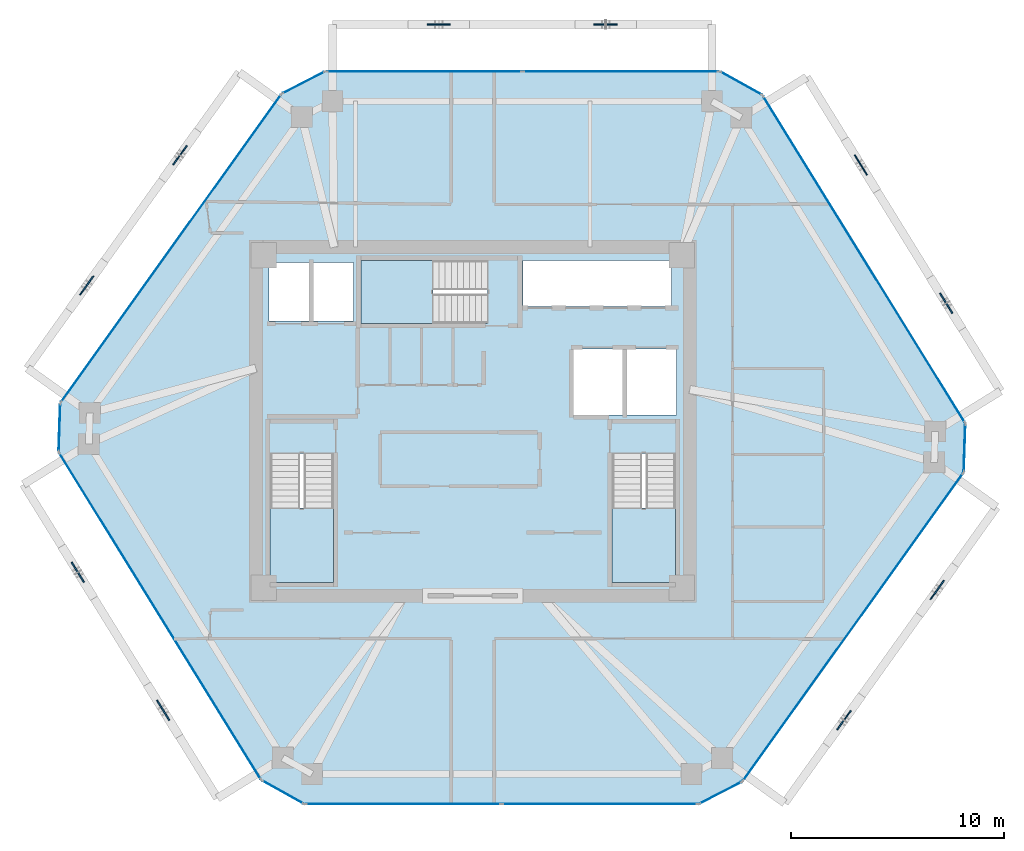
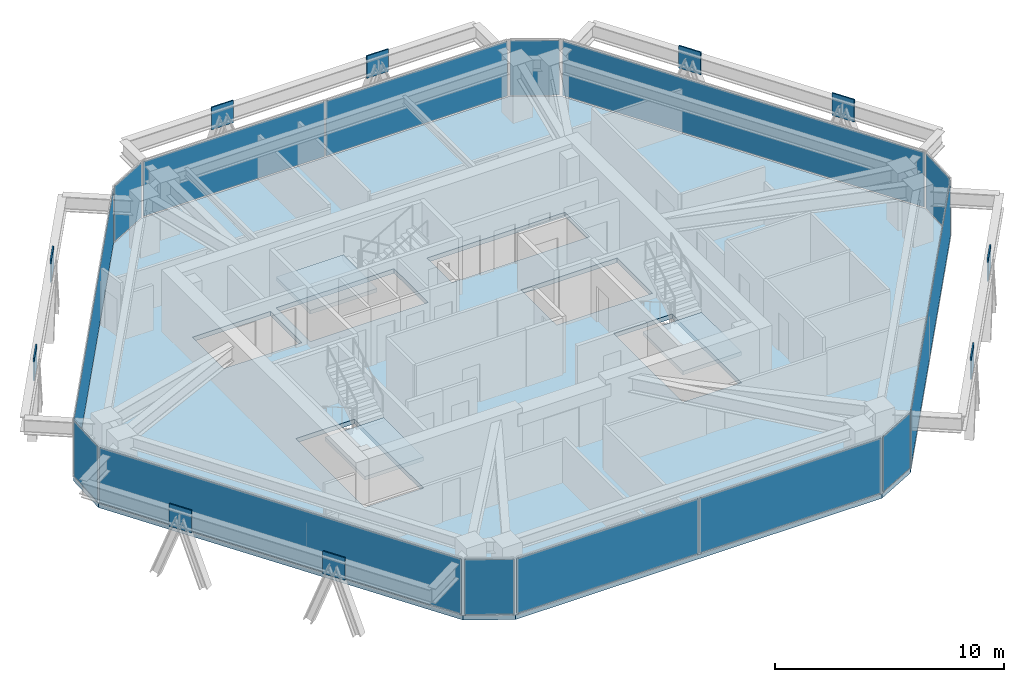
# One storey, part 7 of 13: 24 plates, 4 slabs, 15 elements without a shape of their own.
"""IFC4 building model written with IfcOpenShell, lengths in metres."""

from ifc_helpers import new_model, si_unit, direction, frame, origin, origin_2d, place, context, subcontext, project, spatial, polyline, rectangle, outline, extrude, source, transform, mapped, material, layer, layer_set, type_object, type_shapes, element, aggregate, save


model = new_model("IFC4")

# Units and contexts
model_context = context("Model", 3, precision=1e-05, world=origin(), true_north=direction((0.0, 1.0)))
body_context = subcontext(model_context, "Body", "Model", "MODEL_VIEW")
ifc_project = project(units=[si_unit("LENGTHUNIT", "METRE"), si_unit("AREAUNIT", "SQUARE_METRE"), si_unit("VOLUMEUNIT", "CUBIC_METRE"), si_unit("PLANEANGLEUNIT", "RADIAN"), si_unit("MASSUNIT", "GRAM", prefix="KILO")], contexts=[model_context])

# Site, building, storey
site_placement = place(None, origin())
site = spatial("IfcSite", under=ifc_project, at=site_placement, CompositionType="ELEMENT")
building_placement = place(site_placement, origin())
building = spatial("IfcBuilding", under=site, at=building_placement, Name="Durnholm Broadcast Tower", CompositionType="ELEMENT")
storey_placement = place(building_placement, frame((0.0, 0.0, 167.199951171875)))
storey = spatial("IfcBuildingStorey", under=building, at=storey_placement, Name="L45", CompositionType="ELEMENT", Elevation=167.199951171875)

# Slab
ifc_material_1 = material(Name="Concrete C50/60", Category="concrete")
ifc_layer_1 = layer(ifc_material_1, 0.239990234375)
ifc_layer_set_1 = layer_set([ifc_layer_1], Name="Concrete C50/60")
slab_type_1 = type_object("IfcSlabType", Name="SLAB-FLR-240", PredefinedType="FLOOR", material=ifc_layer_set_1)
slab_1_placement = place(storey_placement, frame((0.0, 0.0, -0.239990234375)))
element("IfcSlab", 1, at=slab_1_placement, inside=storey, type_object=slab_type_1, Name="L45 structural floor slab", PredefinedType="FLOOR", context=body_context, shape_type="SweptSolid", body=[
    extrude(outline(polyline([(-9.912353515625, -16.822021484375), (-7.9033203125, -17.94189453125), (10.59521484375, -17.94189453125), (12.64111328125, -16.890625), (23.022705078125, -2.390380859375), (23.1005859375, -0.091552734375), (13.59033203125, 15.2978515625), (11.581298828125, 16.41796875), (-6.917236328125, 16.41796875), (-8.962890625, 15.36669921875), (-19.3447265625, 0.8662109375), (-19.422607421875, -1.432373046875), (-9.912353515625, -16.822021484375)]), holes=[polyline([(-6.5400390625, -1.5), (-9.5, -1.5), (-9.5, -7.550048828125), (-6.5400390625, -7.550048828125), (-6.5400390625, -1.5)]), polyline([(9.5, -7.550048828125), (9.5, -1.5), (6.5400390625, -1.5), (6.5400390625, -7.550048828125), (9.5, -7.550048828125)]), polyline([(9.550048828125, 3.39990234375), (4.699951171875, 3.39990234375), (4.699951171875, 0.300048828125), (9.550048828125, 0.300048828125), (9.550048828125, 3.39990234375)]), polyline([(-9.550048828125, 7.449951171875), (-9.550048828125, 4.699951171875), (-5.60009765625, 4.699951171875), (-5.60009765625, 7.449951171875), (-9.550048828125, 7.449951171875)]), polyline([(-5.25, 4.60009765625), (0.699951171875, 4.60009765625), (0.699951171875, 7.56005859375), (-5.25, 7.56005859375), (-5.25, 4.60009765625)]), polyline([(9.31005859375, 7.550048828125), (2.35009765625, 7.550048828125), (2.35009765625, 5.39990234375), (9.31005859375, 5.39990234375), (9.31005859375, 7.550048828125)])]), origin(), (0.0, 0.0, 1.0), 0.239990234375),
])

# Stair, slab
stair_type = type_object("IfcStairType", Name="STAIR-DL-20R1650", PredefinedType="HALF_TURN_STAIR", material=ifc_material_1)
stair_1_placement = place(storey_placement, origin())
stair_1 = element("IfcStair", 2, at=stair_1_placement, inside=storey, type_object=stair_type, Name="L45 ST-1", PredefinedType="HALF_TURN_STAIR")
ifc_layer_2 = layer(ifc_material_1, 0.199951171875)
ifc_layer_set_2 = layer_set([ifc_layer_2], Name="Concrete C50/60")
slab_type_2 = type_object("IfcSlabType", Name="SLAB-LND-200", PredefinedType="LANDING", material=ifc_layer_set_2)
slab_2_placement = place(storey_placement, frame((0.0, 0.0, 1.449951171875)))
slab_2 = element("IfcSlab", 3, at=slab_2_placement, type_object=slab_type_2, Name="ST-1 landing 1", PredefinedType="LANDING", context=body_context, shape_type="SweptSolid", body=[
    extrude(outline(polyline([(-9.5, -4.06494140625), (-9.5, -7.550048828125), (-6.5400390625, -7.550048828125), (-6.5400390625, -4.06494140625), (-9.5, -4.06494140625)])), origin(), (0.0, 0.0, 1.0), 0.2001953125),
])
aggregate(stair_1, [slab_2])

stair_2_placement = place(storey_placement, origin())
stair_2 = element("IfcStair", 4, at=stair_2_placement, inside=storey, type_object=stair_type, Name="L45 ST-2", PredefinedType="HALF_TURN_STAIR")
slab_3_placement = place(storey_placement, frame((0.0, 0.0, 1.449951171875)))
slab_3 = element("IfcSlab", 5, at=slab_3_placement, type_object=slab_type_2, Name="ST-2 landing 1", PredefinedType="LANDING", context=body_context, shape_type="SweptSolid", body=[
    extrude(outline(polyline([(6.5400390625, -4.06494140625), (6.5400390625, -7.550048828125), (9.5, -7.550048828125), (9.5, -4.06494140625), (6.5400390625, -4.06494140625)])), origin(), (0.0, 0.0, 1.0), 0.2001953125),
])
aggregate(stair_2, [slab_3])

stair_3_placement = place(storey_placement, origin())
stair_3 = element("IfcStair", 6, at=stair_3_placement, inside=storey, type_object=stair_type, Name="L45 ST-3", PredefinedType="HALF_TURN_STAIR")
slab_4_placement = place(storey_placement, frame((0.0, 0.0, 1.449951171875)))
slab_4 = element("IfcSlab", 7, at=slab_4_placement, type_object=slab_type_2, Name="ST-3 landing 1", PredefinedType="LANDING", context=body_context, shape_type="SweptSolid", body=[
    extrude(outline(polyline([(-1.864990234375, 7.56005859375), (-5.25, 7.56005859375), (-5.25, 4.60009765625), (-1.864990234375, 4.60009765625), (-1.864990234375, 7.56005859375)])), origin(), (0.0, 0.0, 1.0), 0.2001953125),
])
aggregate(stair_3, [slab_4])

# Plates
ifc_material_2 = material(Name="Steel ASTM A572 Grade 50", Category="steel")
ifc_layer_3 = layer(ifc_material_2, 0.06494140625)
ifc_layer_set_3 = layer_set([ifc_layer_3], Name="Steel ASTM A572 Grade 50")
plate_type_1 = type_object("IfcPlateType", Name="PLT-KN07-GUS", PredefinedType="USERDEFINED", material=ifc_layer_set_3)
shared_shape_1 = source(origin(), body_context, "Body", "SweptSolid", [
    extrude(rectangle(XDim=1.10009765625, YDim=0.06494140625, at=origin_2d()), origin(), (0.0, 0.0, 1.0), 1.199951171875),
])
type_shapes(plate_type_1, [shared_shape_1])
for number, where, z_axis, x_axis, name in (
    (8, (17.40966796875, -14.009521484375, 1.70849609375), (0.0, 0.0, 1.0), (0.582122970157, 0.813100761047, 0.0), "L45 welded diagrid node gusset plate KN07 F2"),
    (9, (21.782470703125, -7.90185546875, 1.70849609375), (0.0, 0.0, 1.0), (0.582122970157, 0.813100761047, 0.0), "L45 welded diagrid node gusset plate KN07 F2"),
    (10, (22.202392578125, 5.546875, 1.70849609375), (0.0, 0.0, 1.0), (-0.525768608156, 0.850627633385, 0.0), "L45 welded diagrid node gusset plate KN07 F3"),
    (11, (18.2001953125, 12.023193359375, 1.70849609375), (0.0, 0.0, 1.0), (-0.525768608156, 0.850627633385, 0.0), "L45 welded diagrid node gusset plate KN07 F3"),
    (12, (6.234619140625, 18.617919921875, 1.70849609375), (0.0, 0.0, 1.0), (-1.0, 0.0, 0.0), "L45 welded diagrid node gusset plate KN07 F4"),
    (13, (-1.595703125, 18.617919921875, 1.70849609375), (0.0, 0.0, 1.0), (-1.0, 0.0, 0.0), "L45 welded diagrid node gusset plate KN07 F4"),
    (14, (-13.731689453125, 12.485595703125, 1.70849609375), (0.0, 0.0, 1.0), (-0.582122970157, -0.813100761047, 0.0), "L45 welded diagrid node gusset plate KN07 F5"),
    (15, (-18.1044921875, 6.3779296875, 1.70849609375), (0.0, 0.0, 1.0), (-0.582122970157, -0.813100761047, 0.0), "L45 welded diagrid node gusset plate KN07 F5"),
    (16, (-18.5244140625, -7.07080078125, 1.70849609375), (0.0, 0.0, 1.0), (0.525768608156, -0.850627633385, 0.0), "L45 welded diagrid node gusset plate KN07 F6"),
    (17, (-14.522216796875, -13.54736328125, 1.70849609375), (0.0, 0.0, 1.0), (0.525768608156, -0.850627633385, 0.0), "L45 welded diagrid node gusset plate KN07 F6"),
):
    element("IfcPlate", number, at=place(storey_placement, frame(where, z_axis=z_axis, x_axis=x_axis)), inside=storey, type_object=plate_type_1, Name=name, ObjectType="GUSSET_PLATE", PredefinedType="USERDEFINED", context=body_context, shape_type="MappedRepresentation", body=[
        mapped(shared_shape_1, transform((0.0, 0.0, 0.0), x_axis=(1.0, 0.0, 0.0), y_axis=(0.0, 1.0, 0.0), z_axis=(0.0, 0.0, 1.0), scale=1.0)),
    ])

# Curtain wall, plate
ifc_material_3 = material(Name="Aluminium and Solar Control IGU", Category="aluminium")
ifc_layer_4 = layer(ifc_material_3, 0.1650390625)
ifc_layer_set_4 = layer_set([ifc_layer_4], Name="Aluminium and Solar Control IGU")
curtain_wall_type_1 = type_object("IfcCurtainWallType", Name="CW-SYS-5", PredefinedType="NOTDEFINED", material=ifc_layer_set_4)
curtain_wall_1_placement = place(storey_placement, origin())
curtain_wall_1 = element("IfcCurtainWall", 18, at=curtain_wall_1_placement, inside=storey, type_object=curtain_wall_type_1, Name="L45 curtain wall CW-CORNER CW-L45-CRN-01", PredefinedType="NOTDEFINED")
ifc_material_4 = material(Name="Low-E Laminated Insulating Glass", Category="glass")
ifc_layer_5 = layer(ifc_material_4, 0.030029296875)
ifc_layer_set_5 = layer_set([ifc_layer_5], Name="Low-E Laminated Insulating Glass")
plate_type_2 = type_object("IfcPlateType", Name="CW-SYS-5-PNL", PredefinedType="CURTAIN_PANEL", material=ifc_layer_set_5)
shared_shape_2 = source(origin(), body_context, "Body", "SweptSolid", [
    extrude(rectangle(XDim=2.169921875, YDim=0.030029296875, at=origin_2d()), origin(), (0.0, 0.0, 1.0), 2.929931640625),
])
plate_1_placement = place(storey_placement, frame((-19.3837890625, -0.282958984375, 0.06494140625), z_axis=(0.0, 0.0, 1.0), x_axis=(0.033912704699, 0.999424798802, 0.0)))
plate_1 = element("IfcPlate", 19, at=plate_1_placement, type_object=plate_type_2, Name="CW-CORNER panel 1.1", PredefinedType="CURTAIN_PANEL", context=body_context, shape_type="MappedRepresentation", body=[
    mapped(shared_shape_2, transform((0.0, 0.0, 0.0), x_axis=(1.0, 0.0, 0.0), y_axis=(0.0, 1.0, 0.0), z_axis=(0.0, 0.0, 1.0), scale=1.0)),
])
aggregate(curtain_wall_1, [plate_1])

curtain_wall_2_placement = place(storey_placement, origin())
curtain_wall_2 = element("IfcCurtainWall", 20, at=curtain_wall_2_placement, inside=storey, type_object=curtain_wall_type_1, Name="L45 curtain wall CW-CORNER CW-L45-CRN-03", PredefinedType="NOTDEFINED")
plate_2_placement = place(storey_placement, frame((-7.940185546875, 15.892333984375, 0.06494140625), z_axis=(0.0, 0.0, 1.0), x_axis=(0.889424679545, 0.457081764476, 0.0)))
plate_2 = element("IfcPlate", 21, at=plate_2_placement, type_object=plate_type_2, Name="CW-CORNER panel 1.1", PredefinedType="CURTAIN_PANEL", context=body_context, shape_type="MappedRepresentation", body=[
    mapped(shared_shape_2, transform((0.0, 0.0, 0.0), x_axis=(1.0, 0.0, 0.0), y_axis=(0.0, 1.0, 0.0), z_axis=(0.0, 0.0, 1.0), scale=1.0)),
])
aggregate(curtain_wall_2, [plate_2])

curtain_wall_3_placement = place(storey_placement, origin())
curtain_wall_3 = element("IfcCurtainWall", 22, at=curtain_wall_3_placement, inside=storey, type_object=curtain_wall_type_1, Name="L45 curtain wall CW-CORNER CW-L45-CRN-07", PredefinedType="NOTDEFINED")
plate_3_placement = place(storey_placement, frame((23.061767578125, -1.240966796875, 0.06494140625), z_axis=(0.0, 0.0, 1.0), x_axis=(-0.033912704699, -0.999424798802, 0.0)))
plate_3 = element("IfcPlate", 23, at=plate_3_placement, type_object=plate_type_2, Name="CW-CORNER panel 1.1", PredefinedType="CURTAIN_PANEL", context=body_context, shape_type="MappedRepresentation", body=[
    mapped(shared_shape_2, transform((0.0, 0.0, 0.0), x_axis=(1.0, 0.0, 0.0), y_axis=(0.0, 1.0, 0.0), z_axis=(0.0, 0.0, 1.0), scale=1.0)),
])
aggregate(curtain_wall_3, [plate_3])

curtain_wall_4_placement = place(storey_placement, origin())
curtain_wall_4 = element("IfcCurtainWall", 24, at=curtain_wall_4_placement, inside=storey, type_object=curtain_wall_type_1, Name="L45 curtain wall CW-CORNER CW-L45-CRN-09", PredefinedType="NOTDEFINED")
plate_4_placement = place(storey_placement, frame((11.6181640625, -17.416259765625, 0.06494140625), z_axis=(0.0, 0.0, 1.0), x_axis=(-0.889424679545, -0.457081764476, 0.0)))
plate_4 = element("IfcPlate", 25, at=plate_4_placement, type_object=plate_type_2, Name="CW-CORNER panel 1.1", PredefinedType="CURTAIN_PANEL", context=body_context, shape_type="MappedRepresentation", body=[
    mapped(shared_shape_2, transform((0.0, 0.0, 0.0), x_axis=(1.0, 0.0, 0.0), y_axis=(0.0, 1.0, 0.0), z_axis=(0.0, 0.0, 1.0), scale=1.0)),
])
aggregate(curtain_wall_4, [plate_4])

ifc_layer_6 = layer(ifc_material_3, 0.18994140625)
ifc_layer_set_6 = layer_set([ifc_layer_6], Name="Aluminium and Solar Control IGU")
curtain_wall_type_2 = type_object("IfcCurtainWallType", Name="CW-SYS-4", PredefinedType="NOTDEFINED", material=ifc_layer_set_6)
curtain_wall_5_placement = place(storey_placement, origin())
curtain_wall_5 = element("IfcCurtainWall", 26, at=curtain_wall_5_placement, inside=storey, type_object=curtain_wall_type_2, Name="L45 curtain wall CW-Z34-VIS CW-L45-F02", PredefinedType="NOTDEFINED")
ifc_layer_7 = layer(ifc_material_4, 0.033935546875)
ifc_layer_set_7 = layer_set([ifc_layer_7], Name="Low-E Laminated Insulating Glass")
plate_type_3 = type_object("IfcPlateType", Name="CW-SYS-4-PNL", PredefinedType="CURTAIN_PANEL", material=ifc_layer_set_7)
shared_shape_3 = source(origin(), body_context, "Body", "SweptSolid", [
    extrude(rectangle(XDim=17.693603515625, YDim=0.033935546875, at=origin_2d()), origin(), (0.0, 0.0, 1.0), 2.919921875),
])
plate_5_placement = place(storey_placement, frame((-14.15380859375, 8.116455078125, 0.070068359375), z_axis=(0.0, 0.0, 1.0), x_axis=(0.582139030549, 0.813089262696, 0.0)))
plate_5 = element("IfcPlate", 27, at=plate_5_placement, type_object=plate_type_3, Name="CW-Z34-VIS panel 1.1", PredefinedType="CURTAIN_PANEL", context=body_context, shape_type="MappedRepresentation", body=[
    mapped(shared_shape_3, transform((0.0, 0.0, 0.0), x_axis=(1.0, 0.0, 0.0), y_axis=(0.0, 1.0, 0.0), z_axis=(0.0, 0.0, 1.0), scale=1.0)),
])
aggregate(curtain_wall_5, [plate_5])

curtain_wall_6_placement = place(storey_placement, origin())
curtain_wall_6 = element("IfcCurtainWall", 28, at=curtain_wall_6_placement, inside=storey, type_object=curtain_wall_type_2, Name="L45 curtain wall CW-Z34-VIS CW-L45-F08", PredefinedType="NOTDEFINED")
plate_6_placement = place(storey_placement, frame((17.831787109375, -9.640380859375, 0.070068359375), z_axis=(0.0, 0.0, 1.0), x_axis=(-0.582139030549, -0.813089262696, 0.0)))
plate_6 = element("IfcPlate", 29, at=plate_6_placement, type_object=plate_type_3, Name="CW-Z34-VIS panel 1.1", PredefinedType="CURTAIN_PANEL", context=body_context, shape_type="MappedRepresentation", body=[
    mapped(shared_shape_3, transform((0.0, 0.0, 0.0), x_axis=(1.0, 0.0, 0.0), y_axis=(0.0, 1.0, 0.0), z_axis=(0.0, 0.0, 1.0), scale=1.0)),
])
aggregate(curtain_wall_6, [plate_6])

# Curtain wall, plates
curtain_wall_7_placement = place(storey_placement, origin())
curtain_wall_7 = element("IfcCurtainWall", 30, at=curtain_wall_7_placement, inside=storey, type_object=curtain_wall_type_2, Name="L45 curtain wall CW-Z34-VIS CW-L45-F04", PredefinedType="NOTDEFINED")
shared_shape_4 = source(origin(), body_context, "Body", "SweptSolid", [
    extrude(rectangle(XDim=9.144287109375, YDim=0.033935546875, at=origin_2d()), origin(), (0.0, 0.0, 1.0), 2.919921875),
])
plate_7_placement = place(storey_placement, frame((-2.275146484375, 16.41796875, 0.070068359375), z_axis=(0.0, 0.0, 1.0), x_axis=(1.0, 0.0, 0.0)))
plate_7 = element("IfcPlate", 31, at=plate_7_placement, type_object=plate_type_3, Name="CW-Z34-VIS panel 1.1", PredefinedType="CURTAIN_PANEL", context=body_context, shape_type="MappedRepresentation", body=[
    mapped(shared_shape_4, transform((0.0, 0.0, 0.0), x_axis=(1.0, 0.0, 0.0), y_axis=(0.0, 1.0, 0.0), z_axis=(0.0, 0.0, 1.0), scale=1.0)),
])
plate_8_placement = place(storey_placement, frame((6.939208984375, 16.41796875, 0.070068359375), z_axis=(0.0, 0.0, 1.0), x_axis=(1.0, 0.0, 0.0)))
plate_8 = element("IfcPlate", 32, at=plate_8_placement, type_object=plate_type_3, Name="CW-Z34-VIS panel 2.1", PredefinedType="CURTAIN_PANEL", context=body_context, shape_type="MappedRepresentation", body=[
    mapped(shared_shape_4, transform((0.0, 0.0, 0.0), x_axis=(1.0, 0.0, 0.0), y_axis=(0.0, 1.0, 0.0), z_axis=(0.0, 0.0, 1.0), scale=1.0)),
])
aggregate(curtain_wall_7, [plate_7, plate_8])

curtain_wall_8_placement = place(storey_placement, origin())
curtain_wall_8 = element("IfcCurtainWall", 33, at=curtain_wall_8_placement, inside=storey, type_object=curtain_wall_type_2, Name="L45 curtain wall CW-Z34-VIS CW-L45-F10", PredefinedType="NOTDEFINED")
plate_9_placement = place(storey_placement, frame((5.953125, -17.94189453125, 0.070068359375), z_axis=(0.0, 0.0, 1.0), x_axis=(-1.0, 0.0, 0.0)))
plate_9 = element("IfcPlate", 34, at=plate_9_placement, type_object=plate_type_3, Name="CW-Z34-VIS panel 1.1", PredefinedType="CURTAIN_PANEL", context=body_context, shape_type="MappedRepresentation", body=[
    mapped(shared_shape_4, transform((0.0, 0.0, 0.0), x_axis=(1.0, 0.0, 0.0), y_axis=(0.0, 1.0, 0.0), z_axis=(0.0, 0.0, 1.0), scale=1.0)),
])
plate_10_placement = place(storey_placement, frame((-3.26123046875, -17.94189453125, 0.070068359375), z_axis=(0.0, 0.0, 1.0), x_axis=(-1.0, 0.0, 0.0)))
plate_10 = element("IfcPlate", 35, at=plate_10_placement, type_object=plate_type_3, Name="CW-Z34-VIS panel 2.1", PredefinedType="CURTAIN_PANEL", context=body_context, shape_type="MappedRepresentation", body=[
    mapped(shared_shape_4, transform((0.0, 0.0, 0.0), x_axis=(1.0, 0.0, 0.0), y_axis=(0.0, 1.0, 0.0), z_axis=(0.0, 0.0, 1.0), scale=1.0)),
])
aggregate(curtain_wall_8, [plate_9, plate_10])

# Curtain wall, plate
curtain_wall_9_placement = place(storey_placement, origin())
curtain_wall_9 = element("IfcCurtainWall", 36, at=curtain_wall_9_placement, inside=storey, type_object=curtain_wall_type_1, Name="L45 curtain wall CW-CORNER CW-L45-CRN-05", PredefinedType="NOTDEFINED")
shared_shape_5 = source(origin(), body_context, "Body", "SweptSolid", [
    extrude(rectangle(XDim=2.170166015625, YDim=0.030029296875, at=origin_2d()), origin(), (0.0, 0.0, 1.0), 2.929931640625),
])
type_shapes(plate_type_2, [shared_shape_2, shared_shape_5])
plate_11_placement = place(storey_placement, frame((12.5859375, 15.85791015625, 0.06494140625), z_axis=(0.0, 0.0, 1.0), x_axis=(0.873409751271, -0.486986043316, 0.0)))
plate_11 = element("IfcPlate", 37, at=plate_11_placement, type_object=plate_type_2, Name="CW-CORNER panel 1.1", PredefinedType="CURTAIN_PANEL", context=body_context, shape_type="MappedRepresentation", body=[
    mapped(shared_shape_5, transform((0.0, 0.0, 0.0), x_axis=(1.0, 0.0, 0.0), y_axis=(0.0, 1.0, 0.0), z_axis=(0.0, 0.0, 1.0), scale=1.0)),
])
aggregate(curtain_wall_9, [plate_11])

curtain_wall_10_placement = place(storey_placement, origin())
curtain_wall_10 = element("IfcCurtainWall", 38, at=curtain_wall_10_placement, inside=storey, type_object=curtain_wall_type_1, Name="L45 curtain wall CW-CORNER CW-L45-CRN-11", PredefinedType="NOTDEFINED")
plate_12_placement = place(storey_placement, frame((-8.907958984375, -17.3818359375, 0.06494140625), z_axis=(0.0, 0.0, 1.0), x_axis=(-0.873409751271, 0.486986043316, 0.0)))
plate_12 = element("IfcPlate", 39, at=plate_12_placement, type_object=plate_type_2, Name="CW-CORNER panel 1.1", PredefinedType="CURTAIN_PANEL", context=body_context, shape_type="MappedRepresentation", body=[
    mapped(shared_shape_5, transform((0.0, 0.0, 0.0), x_axis=(1.0, 0.0, 0.0), y_axis=(0.0, 1.0, 0.0), z_axis=(0.0, 0.0, 1.0), scale=1.0)),
])
aggregate(curtain_wall_10, [plate_12])

curtain_wall_11_placement = place(storey_placement, origin())
curtain_wall_11 = element("IfcCurtainWall", 40, at=curtain_wall_11_placement, inside=storey, type_object=curtain_wall_type_2, Name="L45 curtain wall CW-Z34-VIS CW-L45-F06", PredefinedType="NOTDEFINED")
shared_shape_6 = source(origin(), body_context, "Body", "SweptSolid", [
    extrude(rectangle(XDim=17.950927734375, YDim=0.033935546875, at=origin_2d()), origin(), (0.0, 0.0, 1.0), 2.919921875),
])
type_shapes(plate_type_3, [shared_shape_3, shared_shape_4, shared_shape_6])
plate_13_placement = place(storey_placement, frame((18.345458984375, 7.603271484375, 0.070068359375), z_axis=(0.0, 0.0, 1.0), x_axis=(0.525697750452, -0.850671426092, 0.0)))
plate_13 = element("IfcPlate", 41, at=plate_13_placement, type_object=plate_type_3, Name="CW-Z34-VIS panel 1.1", PredefinedType="CURTAIN_PANEL", context=body_context, shape_type="MappedRepresentation", body=[
    mapped(shared_shape_6, transform((0.0, 0.0, 0.0), x_axis=(1.0, 0.0, 0.0), y_axis=(0.0, 1.0, 0.0), z_axis=(0.0, 0.0, 1.0), scale=1.0)),
])
aggregate(curtain_wall_11, [plate_13])

curtain_wall_12_placement = place(storey_placement, origin())
curtain_wall_12 = element("IfcCurtainWall", 42, at=curtain_wall_12_placement, inside=storey, type_object=curtain_wall_type_2, Name="L45 curtain wall CW-Z34-VIS CW-L45-F12", PredefinedType="NOTDEFINED")
plate_14_placement = place(storey_placement, frame((-14.66748046875, -9.127197265625, 0.070068359375), z_axis=(0.0, 0.0, 1.0), x_axis=(-0.525697750452, 0.850671426092, 0.0)))
plate_14 = element("IfcPlate", 43, at=plate_14_placement, type_object=plate_type_3, Name="CW-Z34-VIS panel 1.1", PredefinedType="CURTAIN_PANEL", context=body_context, shape_type="MappedRepresentation", body=[
    mapped(shared_shape_6, transform((0.0, 0.0, 0.0), x_axis=(1.0, 0.0, 0.0), y_axis=(0.0, 1.0, 0.0), z_axis=(0.0, 0.0, 1.0), scale=1.0)),
])
aggregate(curtain_wall_12, [plate_14])

save(model, "model.ifc")
